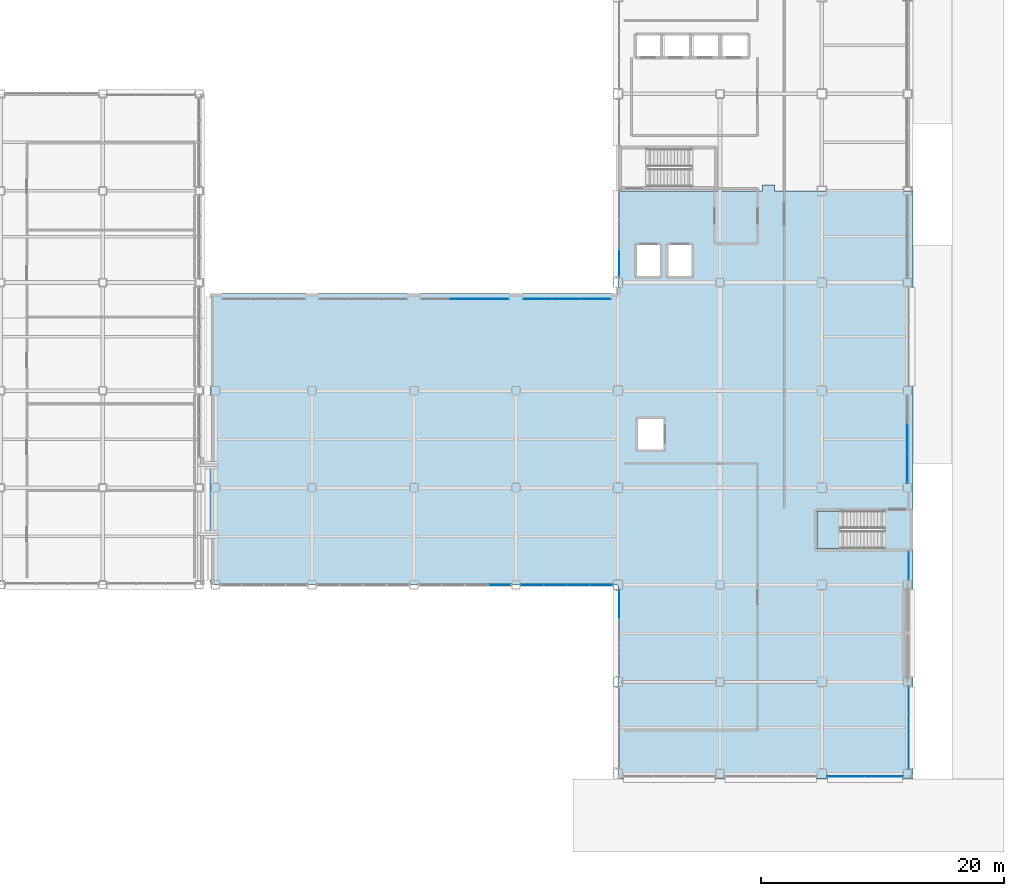
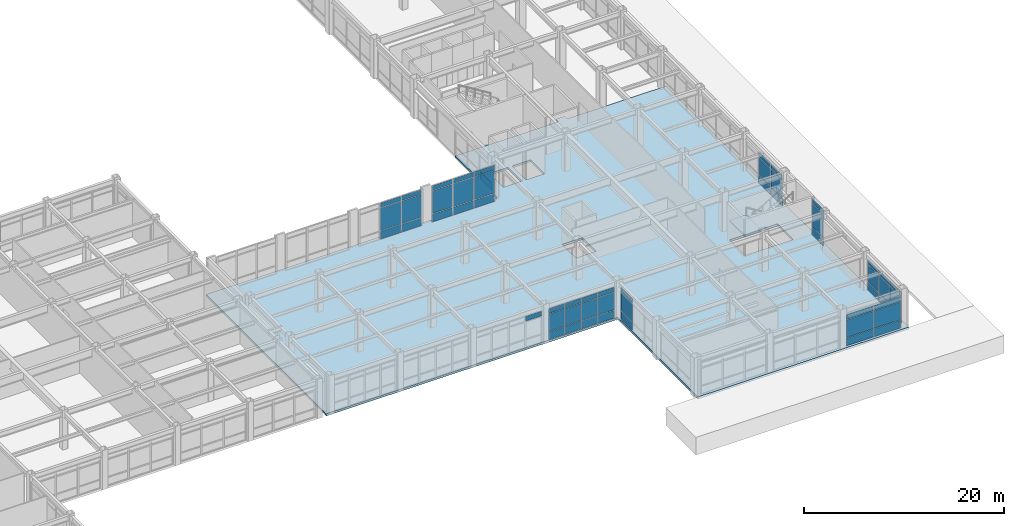
# One storey, part 135 of 172: 56 plates, 2 slabs, 11 elements without a shape of their own.
"""IFC4 building model written with IfcOpenShell, lengths in metres."""

from ifc_helpers import new_model, si_unit, direction, frame, origin, origin_2d, place, context, subcontext, project, spatial, polyline, rectangle, outline, extrude, material, layer, layer_set, type_object, element, aggregate, save


model = new_model("IFC4")

# Units and contexts
model_context = context("Model", 3, precision=1e-05, world=origin(), true_north=direction((0.0, 1.0)))
body_context = subcontext(model_context, "Body", "Model", "MODEL_VIEW")
ifc_project = project(units=[si_unit("LENGTHUNIT", "METRE"), si_unit("AREAUNIT", "SQUARE_METRE"), si_unit("VOLUMEUNIT", "CUBIC_METRE"), si_unit("PLANEANGLEUNIT", "RADIAN"), si_unit("MASSUNIT", "GRAM", prefix="KILO")], contexts=[model_context])

# Site, building, storey
site_placement = place(None, origin())
site = spatial("IfcSite", under=ifc_project, at=site_placement, CompositionType="ELEMENT")
building_placement = place(site_placement, origin())
building = spatial("IfcBuilding", under=site, at=building_placement, Name="Kazehara Bluff Congress Hotel", CompositionType="ELEMENT")
storey_placement = place(building_placement, frame((0.0, 0.0, 5.39990234375)))
storey = spatial("IfcBuildingStorey", under=building, at=storey_placement, Name="L01", CompositionType="ELEMENT", Elevation=5.39990234375)

# Curtain wall, plate
ifc_material_1 = material(Name="Anodised aluminium", Category="aluminium")
ifc_layer_1 = layer(ifc_material_1, 0.159912109375)
ifc_layer_set_1 = layer_set([ifc_layer_1], Name="Anodised aluminium")
curtain_wall_type_1 = type_object("IfcCurtainWallType", Name="TP-CW-79", PredefinedType="NOTDEFINED", material=ifc_layer_set_1)
curtain_wall_1_placement = place(storey_placement, origin())
curtain_wall_1 = element("IfcCurtainWall", 1, at=curtain_wall_1_placement, inside=storey, type_object=curtain_wall_type_1, Name="L01 curtain wall CW-79 CW-V5-L01-Y1600-12725", PredefinedType="NOTDEFINED")
ifc_material_2 = material(Name="Insulated low-E double glazing", Category="glass")
ifc_layer_2 = layer(ifc_material_2, 0.028076171875)
ifc_layer_set_2 = layer_set([ifc_layer_2], Name="Insulated low-E double glazing")
plate_type_1 = type_object("IfcPlateType", Name="TP-CWP-01", PredefinedType="CURTAIN_PANEL", material=ifc_layer_set_2)
plate_1_placement = place(storey_placement, frame((133.97119140625, 16.0, 3.2578125), z_axis=(0.0, 0.0, 1.0), x_axis=(1.0, 0.0, 0.0)))
plate_1 = element("IfcPlate", 2, at=plate_1_placement, type_object=plate_type_1, Name="CW-79 panel 4.3", PredefinedType="CURTAIN_PANEL", context=body_context, shape_type="SweptSolid", body=[
    extrude(rectangle(XDim=1.827392578125, YDim=0.028076171875, at=origin_2d()), origin(), (0.0, 0.0, 1.0), 0.552490234375),
])
aggregate(curtain_wall_1, [plate_1])

# Curtain wall, plates
ifc_material_3 = material(Name="Anodised aluminium", Category="aluminium")
ifc_layer_3 = layer(ifc_material_3, 0.159912109375)
ifc_layer_set_3 = layer_set([ifc_layer_3], Name="Anodised aluminium")
curtain_wall_type_2 = type_object("IfcCurtainWallType", Name="TP-CW-22", PredefinedType="NOTDEFINED", material=ifc_layer_set_3)
curtain_wall_2_placement = place(storey_placement, origin())
curtain_wall_2 = element("IfcCurtainWall", 3, at=curtain_wall_2_placement, inside=storey, type_object=curtain_wall_type_2, Name="L01 curtain wall CW-22 CW-V5-L01-Y1600-13565", PredefinedType="NOTDEFINED")
plate_2_placement = place(storey_placement, frame((136.62255859375, 16.0, 0.06494140625), z_axis=(0.0, 0.0, 1.0), x_axis=(1.0, 0.0, 0.0)))
plate_2 = element("IfcPlate", 4, at=plate_2_placement, type_object=plate_type_1, Name="CW-22 panel 1.1", PredefinedType="CURTAIN_PANEL", context=body_context, shape_type="SweptSolid", body=[
    extrude(rectangle(XDim=1.81494140625, YDim=0.028076171875, at=origin_2d()), origin(), (0.0, 0.0, 1.0), 0.952392578125),
])
plate_3_placement = place(storey_placement, frame((136.62255859375, 16.0, 1.08251953125), z_axis=(0.0, 0.0, 1.0), x_axis=(1.0, 0.0, 0.0)))
plate_3 = element("IfcPlate", 5, at=plate_3_placement, type_object=plate_type_1, Name="CW-22 panel 1.2", PredefinedType="CURTAIN_PANEL", context=body_context, shape_type="SweptSolid", body=[
    extrude(rectangle(XDim=1.81494140625, YDim=0.028076171875, at=origin_2d()), origin(), (0.0, 0.0, 1.0), 2.110107421875),
])
plate_4_placement = place(storey_placement, frame((136.62255859375, 16.0, 3.2578125), z_axis=(0.0, 0.0, 1.0), x_axis=(1.0, 0.0, 0.0)))
plate_4 = element("IfcPlate", 6, at=plate_4_placement, type_object=plate_type_1, Name="CW-22 panel 1.3", PredefinedType="CURTAIN_PANEL", context=body_context, shape_type="SweptSolid", body=[
    extrude(rectangle(XDim=1.81494140625, YDim=0.028076171875, at=origin_2d()), origin(), (0.0, 0.0, 1.0), 0.552490234375),
])
plate_5_placement = place(storey_placement, frame((138.518798828125, 16.0, 0.06494140625), z_axis=(0.0, 0.0, 1.0), x_axis=(1.0, 0.0, 0.0)))
plate_5 = element("IfcPlate", 7, at=plate_5_placement, type_object=plate_type_1, Name="CW-22 panel 2.1", PredefinedType="CURTAIN_PANEL", context=body_context, shape_type="SweptSolid", body=[
    extrude(rectangle(XDim=1.847412109375, YDim=0.028076171875, at=origin_2d()), origin(), (0.0, 0.0, 1.0), 0.952392578125),
])
plate_6_placement = place(storey_placement, frame((138.518798828125, 16.0, 1.08251953125), z_axis=(0.0, 0.0, 1.0), x_axis=(1.0, 0.0, 0.0)))
plate_6 = element("IfcPlate", 8, at=plate_6_placement, type_object=plate_type_1, Name="CW-22 panel 2.2", PredefinedType="CURTAIN_PANEL", context=body_context, shape_type="SweptSolid", body=[
    extrude(rectangle(XDim=1.847412109375, YDim=0.028076171875, at=origin_2d()), origin(), (0.0, 0.0, 1.0), 2.110107421875),
])
plate_7_placement = place(storey_placement, frame((138.518798828125, 16.0, 3.2578125), z_axis=(0.0, 0.0, 1.0), x_axis=(1.0, 0.0, 0.0)))
plate_7 = element("IfcPlate", 9, at=plate_7_placement, type_object=plate_type_1, Name="CW-22 panel 2.3", PredefinedType="CURTAIN_PANEL", context=body_context, shape_type="SweptSolid", body=[
    extrude(rectangle(XDim=1.847412109375, YDim=0.028076171875, at=origin_2d()), origin(), (0.0, 0.0, 1.0), 0.552490234375),
])
plate_8_placement = place(storey_placement, frame((140.43115234375, 16.0, 0.06494140625), z_axis=(0.0, 0.0, 1.0), x_axis=(1.0, 0.0, 0.0)))
plate_8 = element("IfcPlate", 10, at=plate_8_placement, type_object=plate_type_1, Name="CW-22 panel 3.1", PredefinedType="CURTAIN_PANEL", context=body_context, shape_type="SweptSolid", body=[
    extrude(rectangle(XDim=1.847412109375, YDim=0.028076171875, at=origin_2d()), origin(), (0.0, 0.0, 1.0), 0.952392578125),
])
plate_9_placement = place(storey_placement, frame((140.43115234375, 16.0, 1.08251953125), z_axis=(0.0, 0.0, 1.0), x_axis=(1.0, 0.0, 0.0)))
plate_9 = element("IfcPlate", 11, at=plate_9_placement, type_object=plate_type_1, Name="CW-22 panel 3.2", PredefinedType="CURTAIN_PANEL", context=body_context, shape_type="SweptSolid", body=[
    extrude(rectangle(XDim=1.847412109375, YDim=0.028076171875, at=origin_2d()), origin(), (0.0, 0.0, 1.0), 2.110107421875),
])
plate_10_placement = place(storey_placement, frame((140.43115234375, 16.0, 3.2578125), z_axis=(0.0, 0.0, 1.0), x_axis=(1.0, 0.0, 0.0)))
plate_10 = element("IfcPlate", 12, at=plate_10_placement, type_object=plate_type_1, Name="CW-22 panel 3.3", PredefinedType="CURTAIN_PANEL", context=body_context, shape_type="SweptSolid", body=[
    extrude(rectangle(XDim=1.847412109375, YDim=0.028076171875, at=origin_2d()), origin(), (0.0, 0.0, 1.0), 0.552490234375),
])
plate_11_placement = place(storey_placement, frame((142.327392578125, 16.0, 0.06494140625), z_axis=(0.0, 0.0, 1.0), x_axis=(1.0, 0.0, 0.0)))
plate_11 = element("IfcPlate", 13, at=plate_11_placement, type_object=plate_type_1, Name="CW-22 panel 4.1", PredefinedType="CURTAIN_PANEL", context=body_context, shape_type="SweptSolid", body=[
    extrude(rectangle(XDim=1.81494140625, YDim=0.028076171875, at=origin_2d()), origin(), (0.0, 0.0, 1.0), 0.952392578125),
])
plate_12_placement = place(storey_placement, frame((142.327392578125, 16.0, 1.08251953125), z_axis=(0.0, 0.0, 1.0), x_axis=(1.0, 0.0, 0.0)))
plate_12 = element("IfcPlate", 14, at=plate_12_placement, type_object=plate_type_1, Name="CW-22 panel 4.2", PredefinedType="CURTAIN_PANEL", context=body_context, shape_type="SweptSolid", body=[
    extrude(rectangle(XDim=1.81494140625, YDim=0.028076171875, at=origin_2d()), origin(), (0.0, 0.0, 1.0), 2.110107421875),
])
plate_13_placement = place(storey_placement, frame((142.327392578125, 16.0, 3.2578125), z_axis=(0.0, 0.0, 1.0), x_axis=(1.0, 0.0, 0.0)))
plate_13 = element("IfcPlate", 15, at=plate_13_placement, type_object=plate_type_1, Name="CW-22 panel 4.3", PredefinedType="CURTAIN_PANEL", context=body_context, shape_type="SweptSolid", body=[
    extrude(rectangle(XDim=1.81494140625, YDim=0.028076171875, at=origin_2d()), origin(), (0.0, 0.0, 1.0), 0.552490234375),
])
aggregate(curtain_wall_2, [plate_2, plate_3, plate_4, plate_5, plate_6, plate_7, plate_8, plate_9, plate_10, plate_11, plate_12, plate_13])

ifc_material_4 = material(Name="Anodised aluminium", Category="aluminium")
ifc_layer_4 = layer(ifc_material_4, 0.159912109375)
ifc_layer_set_4 = layer_set([ifc_layer_4], Name="Anodised aluminium")
curtain_wall_type_3 = type_object("IfcCurtainWallType", Name="TP-CW-80", PredefinedType="NOTDEFINED", material=ifc_layer_set_4)
curtain_wall_3_placement = place(storey_placement, origin())
curtain_wall_3 = element("IfcCurtainWall", 16, at=curtain_wall_3_placement, inside=storey, type_object=curtain_wall_type_3, Name="L01 curtain wall CW-80 CW-V5-L01-X16755-2435", PredefinedType="NOTDEFINED")
plate_14_placement = place(storey_placement, frame((167.550048828125, 25.5830078125, 0.06494140625), z_axis=(0.0, 0.0, 1.0), x_axis=(0.0, 1.0, 0.0)))
plate_14 = element("IfcPlate", 17, at=plate_14_placement, type_object=plate_type_1, Name="CW-80 panel 1.1", PredefinedType="CURTAIN_PANEL", context=body_context, shape_type="SweptSolid", body=[
    extrude(rectangle(XDim=2.3359375, YDim=0.028076171875, at=origin_2d()), origin(), (0.0, 0.0, 1.0), 0.952392578125),
])
plate_15_placement = place(storey_placement, frame((167.550048828125, 25.5830078125, 1.08251953125), z_axis=(0.0, 0.0, 1.0), x_axis=(0.0, 1.0, 0.0)))
plate_15 = element("IfcPlate", 18, at=plate_15_placement, type_object=plate_type_1, Name="CW-80 panel 1.2", PredefinedType="CURTAIN_PANEL", context=body_context, shape_type="SweptSolid", body=[
    extrude(rectangle(XDim=2.3359375, YDim=0.028076171875, at=origin_2d()), origin(), (0.0, 0.0, 1.0), 2.110107421875),
])
plate_16_placement = place(storey_placement, frame((167.550048828125, 25.5830078125, 3.2578125), z_axis=(0.0, 0.0, 1.0), x_axis=(0.0, 1.0, 0.0)))
plate_16 = element("IfcPlate", 19, at=plate_16_placement, type_object=plate_type_1, Name="CW-80 panel 1.3", PredefinedType="CURTAIN_PANEL", context=body_context, shape_type="SweptSolid", body=[
    extrude(rectangle(XDim=2.3359375, YDim=0.028076171875, at=origin_2d()), origin(), (0.0, 0.0, 1.0), 0.552490234375),
])
plate_17_placement = place(storey_placement, frame((167.550048828125, 28.0, 0.06494140625), z_axis=(0.0, 0.0, 1.0), x_axis=(0.0, 1.0, 0.0)))
plate_17 = element("IfcPlate", 20, at=plate_17_placement, type_object=plate_type_1, Name="CW-80 panel 2.1", PredefinedType="CURTAIN_PANEL", context=body_context, shape_type="SweptSolid", body=[
    extrude(rectangle(XDim=2.368408203125, YDim=0.028076171875, at=origin_2d()), origin(), (0.0, 0.0, 1.0), 0.952392578125),
])
plate_18_placement = place(storey_placement, frame((167.550048828125, 28.0, 1.08251953125), z_axis=(0.0, 0.0, 1.0), x_axis=(0.0, 1.0, 0.0)))
plate_18 = element("IfcPlate", 21, at=plate_18_placement, type_object=plate_type_1, Name="CW-80 panel 2.2", PredefinedType="CURTAIN_PANEL", context=body_context, shape_type="SweptSolid", body=[
    extrude(rectangle(XDim=2.368408203125, YDim=0.028076171875, at=origin_2d()), origin(), (0.0, 0.0, 1.0), 2.110107421875),
])
plate_19_placement = place(storey_placement, frame((167.550048828125, 28.0, 3.2578125), z_axis=(0.0, 0.0, 1.0), x_axis=(0.0, 1.0, 0.0)))
plate_19 = element("IfcPlate", 22, at=plate_19_placement, type_object=plate_type_1, Name="CW-80 panel 2.3", PredefinedType="CURTAIN_PANEL", context=body_context, shape_type="SweptSolid", body=[
    extrude(rectangle(XDim=2.368408203125, YDim=0.028076171875, at=origin_2d()), origin(), (0.0, 0.0, 1.0), 0.552490234375),
])
aggregate(curtain_wall_3, [plate_14, plate_15, plate_16, plate_17, plate_18, plate_19])

ifc_material_5 = material(Name="Anodised aluminium", Category="aluminium")
ifc_layer_5 = layer(ifc_material_5, 0.159912109375)
ifc_layer_set_5 = layer_set([ifc_layer_5], Name="Anodised aluminium")
curtain_wall_type_4 = type_object("IfcCurtainWallType", Name="TP-CW-112", PredefinedType="NOTDEFINED", material=ifc_layer_set_5)
curtain_wall_4_placement = place(storey_placement, origin())
curtain_wall_4 = element("IfcCurtainWall", 23, at=curtain_wall_4_placement, inside=storey, type_object=curtain_wall_type_4, Name="L01 curtain wall CW-112 CW-ENC-V5-L01-16405-22", PredefinedType="NOTDEFINED")
plate_20_placement = place(storey_placement, frame((165.610107421875, 0.219970703125, 0.06005859375), z_axis=(0.0, 0.0, 1.0), x_axis=(-1.0, 0.0, 0.0)))
plate_20 = element("IfcPlate", 24, at=plate_20_placement, type_object=plate_type_1, Name="CW-112 panel 1.1", PredefinedType="CURTAIN_PANEL", context=body_context, shape_type="SweptSolid", body=[
    extrude(rectangle(XDim=3.06005859375, YDim=0.028076171875, at=origin_2d()), origin(), (0.0, 0.0, 1.0), 0.9599609375),
])
plate_21_placement = place(storey_placement, frame((165.610107421875, 0.219970703125, 1.080078125), z_axis=(0.0, 0.0, 1.0), x_axis=(-1.0, 0.0, 0.0)))
plate_21 = element("IfcPlate", 25, at=plate_21_placement, type_object=plate_type_1, Name="CW-112 panel 1.2", PredefinedType="CURTAIN_PANEL", context=body_context, shape_type="SweptSolid", body=[
    extrude(rectangle(XDim=3.06005859375, YDim=0.028076171875, at=origin_2d()), origin(), (0.0, 0.0, 1.0), 2.114990234375),
])
plate_22_placement = place(storey_placement, frame((165.610107421875, 0.219970703125, 3.255126953125), z_axis=(0.0, 0.0, 1.0), x_axis=(-1.0, 0.0, 0.0)))
plate_22 = element("IfcPlate", 26, at=plate_22_placement, type_object=plate_type_1, Name="CW-112 panel 1.3", PredefinedType="CURTAIN_PANEL", context=body_context, shape_type="SweptSolid", body=[
    extrude(rectangle(XDim=3.06005859375, YDim=0.028076171875, at=origin_2d()), origin(), (0.0, 0.0, 1.0), 0.56005859375),
])
plate_23_placement = place(storey_placement, frame((162.489990234375, 0.219970703125, 0.06005859375), z_axis=(0.0, 0.0, 1.0), x_axis=(-1.0, 0.0, 0.0)))
plate_23 = element("IfcPlate", 27, at=plate_23_placement, type_object=plate_type_1, Name="CW-112 panel 2.1", PredefinedType="CURTAIN_PANEL", context=body_context, shape_type="SweptSolid", body=[
    extrude(rectangle(XDim=3.06005859375, YDim=0.028076171875, at=origin_2d()), origin(), (0.0, 0.0, 1.0), 0.9599609375),
])
plate_24_placement = place(storey_placement, frame((162.489990234375, 0.219970703125, 1.080078125), z_axis=(0.0, 0.0, 1.0), x_axis=(-1.0, 0.0, 0.0)))
plate_24 = element("IfcPlate", 28, at=plate_24_placement, type_object=plate_type_1, Name="CW-112 panel 2.2", PredefinedType="CURTAIN_PANEL", context=body_context, shape_type="SweptSolid", body=[
    extrude(rectangle(XDim=3.06005859375, YDim=0.028076171875, at=origin_2d()), origin(), (0.0, 0.0, 1.0), 2.114990234375),
])
plate_25_placement = place(storey_placement, frame((162.489990234375, 0.219970703125, 3.255126953125), z_axis=(0.0, 0.0, 1.0), x_axis=(-1.0, 0.0, 0.0)))
plate_25 = element("IfcPlate", 29, at=plate_25_placement, type_object=plate_type_1, Name="CW-112 panel 2.3", PredefinedType="CURTAIN_PANEL", context=body_context, shape_type="SweptSolid", body=[
    extrude(rectangle(XDim=3.06005859375, YDim=0.028076171875, at=origin_2d()), origin(), (0.0, 0.0, 1.0), 0.56005859375),
])
aggregate(curtain_wall_4, [plate_20, plate_21, plate_22, plate_23, plate_24, plate_25])

ifc_material_6 = material(Name="Anodised aluminium", Category="aluminium")
ifc_layer_6 = layer(ifc_material_6, 0.159912109375)
ifc_layer_set_6 = layer_set([ifc_layer_6], Name="Anodised aluminium")
curtain_wall_type_5 = type_object("IfcCurtainWallType", Name="TP-CW-83", PredefinedType="NOTDEFINED", material=ifc_layer_set_6)
curtain_wall_5_placement = place(storey_placement, origin())
curtain_wall_5 = element("IfcCurtainWall", 30, at=curtain_wall_5_placement, inside=storey, type_object=curtain_wall_type_5, Name="L01 curtain wall CW-83 CW-ENC-V5-L01-16765-423", PredefinedType="NOTDEFINED")
plate_26_placement = place(storey_placement, frame((167.64990234375, 6.4921875, 0.06494140625), z_axis=(0.0, 0.0, 1.0), x_axis=(0.0, -1.0, 0.0)))
plate_26 = element("IfcPlate", 31, at=plate_26_placement, type_object=plate_type_1, Name="CW-83 panel 1.1", PredefinedType="CURTAIN_PANEL", context=body_context, shape_type="SweptSolid", body=[
    extrude(rectangle(XDim=2.185791015625, YDim=0.028076171875, at=origin_2d()), origin(), (0.0, 0.0, 1.0), 0.952392578125),
])
plate_27_placement = place(storey_placement, frame((167.64990234375, 6.4921875, 1.08251953125), z_axis=(0.0, 0.0, 1.0), x_axis=(0.0, -1.0, 0.0)))
plate_27 = element("IfcPlate", 32, at=plate_27_placement, type_object=plate_type_1, Name="CW-83 panel 1.2", PredefinedType="CURTAIN_PANEL", context=body_context, shape_type="SweptSolid", body=[
    extrude(rectangle(XDim=2.185791015625, YDim=0.028076171875, at=origin_2d()), origin(), (0.0, 0.0, 1.0), 2.110107421875),
])
plate_28_placement = place(storey_placement, frame((167.64990234375, 6.4921875, 3.2578125), z_axis=(0.0, 0.0, 1.0), x_axis=(0.0, -1.0, 0.0)))
plate_28 = element("IfcPlate", 33, at=plate_28_placement, type_object=plate_type_1, Name="CW-83 panel 1.3", PredefinedType="CURTAIN_PANEL", context=body_context, shape_type="SweptSolid", body=[
    extrude(rectangle(XDim=2.185791015625, YDim=0.028076171875, at=origin_2d()), origin(), (0.0, 0.0, 1.0), 0.552490234375),
])
plate_29_placement = place(storey_placement, frame((167.64990234375, 4.22509765625, 0.06494140625), z_axis=(0.0, 0.0, 1.0), x_axis=(0.0, -1.0, 0.0)))
plate_29 = element("IfcPlate", 34, at=plate_29_placement, type_object=plate_type_1, Name="CW-83 panel 2.1", PredefinedType="CURTAIN_PANEL", context=body_context, shape_type="SweptSolid", body=[
    extrude(rectangle(XDim=2.21826171875, YDim=0.028076171875, at=origin_2d()), origin(), (0.0, 0.0, 1.0), 0.952392578125),
])
plate_30_placement = place(storey_placement, frame((167.64990234375, 4.22509765625, 1.08251953125), z_axis=(0.0, 0.0, 1.0), x_axis=(0.0, -1.0, 0.0)))
plate_30 = element("IfcPlate", 35, at=plate_30_placement, type_object=plate_type_1, Name="CW-83 panel 2.2", PredefinedType="CURTAIN_PANEL", context=body_context, shape_type="SweptSolid", body=[
    extrude(rectangle(XDim=2.21826171875, YDim=0.028076171875, at=origin_2d()), origin(), (0.0, 0.0, 1.0), 2.110107421875),
])
plate_31_placement = place(storey_placement, frame((167.64990234375, 4.22509765625, 3.2578125), z_axis=(0.0, 0.0, 1.0), x_axis=(0.0, -1.0, 0.0)))
plate_31 = element("IfcPlate", 36, at=plate_31_placement, type_object=plate_type_1, Name="CW-83 panel 2.3", PredefinedType="CURTAIN_PANEL", context=body_context, shape_type="SweptSolid", body=[
    extrude(rectangle(XDim=2.21826171875, YDim=0.028076171875, at=origin_2d()), origin(), (0.0, 0.0, 1.0), 0.552490234375),
])
plate_32_placement = place(storey_placement, frame((167.64990234375, 1.9580078125, 0.06494140625), z_axis=(0.0, 0.0, 1.0), x_axis=(0.0, -1.0, 0.0)))
plate_32 = element("IfcPlate", 37, at=plate_32_placement, type_object=plate_type_1, Name="CW-83 panel 3.1", PredefinedType="CURTAIN_PANEL", context=body_context, shape_type="SweptSolid", body=[
    extrude(rectangle(XDim=2.185791015625, YDim=0.028076171875, at=origin_2d()), origin(), (0.0, 0.0, 1.0), 0.952392578125),
])
plate_33_placement = place(storey_placement, frame((167.64990234375, 1.9580078125, 1.08251953125), z_axis=(0.0, 0.0, 1.0), x_axis=(0.0, -1.0, 0.0)))
plate_33 = element("IfcPlate", 38, at=plate_33_placement, type_object=plate_type_1, Name="CW-83 panel 3.2", PredefinedType="CURTAIN_PANEL", context=body_context, shape_type="SweptSolid", body=[
    extrude(rectangle(XDim=2.185791015625, YDim=0.028076171875, at=origin_2d()), origin(), (0.0, 0.0, 1.0), 2.110107421875),
])
plate_34_placement = place(storey_placement, frame((167.64990234375, 1.9580078125, 3.2578125), z_axis=(0.0, 0.0, 1.0), x_axis=(0.0, -1.0, 0.0)))
plate_34 = element("IfcPlate", 39, at=plate_34_placement, type_object=plate_type_1, Name="CW-83 panel 3.3", PredefinedType="CURTAIN_PANEL", context=body_context, shape_type="SweptSolid", body=[
    extrude(rectangle(XDim=2.185791015625, YDim=0.028076171875, at=origin_2d()), origin(), (0.0, 0.0, 1.0), 0.552490234375),
])
aggregate(curtain_wall_5, [plate_26, plate_27, plate_28, plate_29, plate_30, plate_31, plate_32, plate_33, plate_34])

# Curtain wall, plate
ifc_material_7 = material(Name="Anodised aluminium", Category="aluminium")
ifc_layer_7 = layer(ifc_material_7, 0.159912109375)
ifc_layer_set_7 = layer_set([ifc_layer_7], Name="Anodised aluminium")
curtain_wall_type_6 = type_object("IfcCurtainWallType", Name="TP-CW-118", PredefinedType="NOTDEFINED", material=ifc_layer_set_7)
curtain_wall_6_placement = place(storey_placement, origin())
curtain_wall_6 = element("IfcCurtainWall", 40, at=curtain_wall_6_placement, inside=storey, type_object=curtain_wall_type_6, Name="L01 curtain wall CW-118 CW-ENC-V5-L01-14380-4492", PredefinedType="NOTDEFINED")
plate_35_placement = place(storey_placement, frame((143.800048828125, 42.52294921875, 0.06494140625), z_axis=(0.0, 0.0, 1.0), x_axis=(0.0, 1.0, 0.0)))
plate_35 = element("IfcPlate", 41, at=plate_35_placement, type_object=plate_type_1, Name="CW-118 panel 1.1", PredefinedType="CURTAIN_PANEL", context=body_context, shape_type="SweptSolid", body=[
    extrude(rectangle(XDim=2.31591796875, YDim=0.028076171875, at=origin_2d()), origin(), (0.0, 0.0, 1.0), 0.952392578125),
])
aggregate(curtain_wall_6, [plate_35])

# Curtain wall, plates
ifc_material_8 = material(Name="Anodised aluminium", Category="aluminium")
ifc_layer_8 = layer(ifc_material_8, 0.159912109375)
ifc_layer_set_8 = layer_set([ifc_layer_8], Name="Anodised aluminium")
curtain_wall_type_7 = type_object("IfcCurtainWallType", Name="TP-CW-120", PredefinedType="NOTDEFINED", material=ifc_layer_set_8)
curtain_wall_7_placement = place(storey_placement, origin())
curtain_wall_7 = element("IfcCurtainWall", 42, at=curtain_wall_7_placement, inside=storey, type_object=curtain_wall_type_7, Name="L01 curtain wall CW-120 CW-ENC-V5-L01-14380-1200", PredefinedType="NOTDEFINED")
plate_36_placement = place(storey_placement, frame((143.800048828125, 14.3837890625, 0.06494140625), z_axis=(0.0, 0.0, 1.0), x_axis=(0.0, 1.0, 0.0)))
plate_36 = element("IfcPlate", 43, at=plate_36_placement, type_object=plate_type_1, Name="CW-120 panel 3.1", PredefinedType="CURTAIN_PANEL", context=body_context, shape_type="SweptSolid", body=[
    extrude(rectangle(XDim=2.302490234375, YDim=0.028076171875, at=origin_2d()), origin(), (0.0, 0.0, 1.0), 0.952392578125),
])
plate_37_placement = place(storey_placement, frame((143.800048828125, 14.3837890625, 1.08251953125), z_axis=(0.0, 0.0, 1.0), x_axis=(0.0, 1.0, 0.0)))
plate_37 = element("IfcPlate", 44, at=plate_37_placement, type_object=plate_type_1, Name="CW-120 panel 3.2", PredefinedType="CURTAIN_PANEL", context=body_context, shape_type="SweptSolid", body=[
    extrude(rectangle(XDim=2.302490234375, YDim=0.028076171875, at=origin_2d()), origin(), (0.0, 0.0, 1.0), 2.2099609375),
])
plate_38_placement = place(storey_placement, frame((143.800048828125, 14.3837890625, 3.357421875), z_axis=(0.0, 0.0, 1.0), x_axis=(0.0, 1.0, 0.0)))
plate_38 = element("IfcPlate", 45, at=plate_38_placement, type_object=plate_type_1, Name="CW-120 panel 3.3", PredefinedType="CURTAIN_PANEL", context=body_context, shape_type="SweptSolid", body=[
    extrude(rectangle(XDim=2.302490234375, YDim=0.028076171875, at=origin_2d()), origin(), (0.0, 0.0, 1.0), 0.552490234375),
])
aggregate(curtain_wall_7, [plate_36, plate_37, plate_38])

ifc_material_9 = material(Name="Anodised aluminium", Category="aluminium")
ifc_layer_9 = layer(ifc_material_9, 0.159912109375)
ifc_layer_set_9 = layer_set([ifc_layer_9], Name="Anodised aluminium")
curtain_wall_type_8 = type_object("IfcCurtainWallType", Name="TP-CW-48", PredefinedType="NOTDEFINED", material=ifc_layer_set_9)
curtain_wall_8_placement = place(storey_placement, origin())
curtain_wall_8 = element("IfcCurtainWall", 46, at=curtain_wall_8_placement, inside=storey, type_object=curtain_wall_type_8, Name="L01 curtain wall CW-48 CW-V5-L01-Y3955-12745", PredefinedType="NOTDEFINED")
ifc_material_10 = material(Name="Insulated low-E double glazing", Category="glass")
ifc_layer_10 = layer(ifc_material_10, 0.031982421875)
ifc_layer_set_10 = layer_set([ifc_layer_10], Name="Insulated low-E double glazing")
plate_type_2 = type_object("IfcPlateType", Name="TP-CWP-02", PredefinedType="CURTAIN_PANEL", material=ifc_layer_set_10)
plate_39_placement = place(storey_placement, frame((131.10009765625, 39.550048828125, 0.06494140625), z_axis=(0.0, 0.0, 1.0), x_axis=(1.0, 0.0, 0.0)))
plate_39 = element("IfcPlate", 47, at=plate_39_placement, type_object=plate_type_2, Name="CW-48 panel 2.1", PredefinedType="CURTAIN_PANEL", context=body_context, shape_type="SweptSolid", body=[
    extrude(rectangle(XDim=2.36328125, YDim=0.031982421875, at=origin_2d()), origin(), (0.0, 0.0, 1.0), 0.952392578125),
])
plate_40_placement = place(storey_placement, frame((131.10009765625, 39.550048828125, 1.08251953125), z_axis=(0.0, 0.0, 1.0), x_axis=(1.0, 0.0, 0.0)))
plate_40 = element("IfcPlate", 48, at=plate_40_placement, type_object=plate_type_2, Name="CW-48 panel 2.2", PredefinedType="CURTAIN_PANEL", context=body_context, shape_type="SweptSolid", body=[
    extrude(rectangle(XDim=2.36328125, YDim=0.031982421875, at=origin_2d()), origin(), (0.0, 0.0, 1.0), 2.77001953125),
])
plate_41_placement = place(storey_placement, frame((131.10009765625, 39.550048828125, 3.91748046875), z_axis=(0.0, 0.0, 1.0), x_axis=(1.0, 0.0, 0.0)))
plate_41 = element("IfcPlate", 49, at=plate_41_placement, type_object=plate_type_2, Name="CW-48 panel 2.3", PredefinedType="CURTAIN_PANEL", context=body_context, shape_type="SweptSolid", body=[
    extrude(rectangle(XDim=2.36328125, YDim=0.031982421875, at=origin_2d()), origin(), (0.0, 0.0, 1.0), 0.552490234375),
])
plate_42_placement = place(storey_placement, frame((133.515869140625, 39.550048828125, 0.06494140625), z_axis=(0.0, 0.0, 1.0), x_axis=(1.0, 0.0, 0.0)))
plate_42 = element("IfcPlate", 50, at=plate_42_placement, type_object=plate_type_2, Name="CW-48 panel 3.1", PredefinedType="CURTAIN_PANEL", context=body_context, shape_type="SweptSolid", body=[
    extrude(rectangle(XDim=2.328369140625, YDim=0.031982421875, at=origin_2d()), origin(), (0.0, 0.0, 1.0), 0.952392578125),
])
plate_43_placement = place(storey_placement, frame((133.515869140625, 39.550048828125, 1.08251953125), z_axis=(0.0, 0.0, 1.0), x_axis=(1.0, 0.0, 0.0)))
plate_43 = element("IfcPlate", 51, at=plate_43_placement, type_object=plate_type_2, Name="CW-48 panel 3.2", PredefinedType="CURTAIN_PANEL", context=body_context, shape_type="SweptSolid", body=[
    extrude(rectangle(XDim=2.328369140625, YDim=0.031982421875, at=origin_2d()), origin(), (0.0, 0.0, 1.0), 2.77001953125),
])
plate_44_placement = place(storey_placement, frame((133.515869140625, 39.550048828125, 3.91748046875), z_axis=(0.0, 0.0, 1.0), x_axis=(1.0, 0.0, 0.0)))
plate_44 = element("IfcPlate", 52, at=plate_44_placement, type_object=plate_type_2, Name="CW-48 panel 3.3", PredefinedType="CURTAIN_PANEL", context=body_context, shape_type="SweptSolid", body=[
    extrude(rectangle(XDim=2.328369140625, YDim=0.031982421875, at=origin_2d()), origin(), (0.0, 0.0, 1.0), 0.552490234375),
])
aggregate(curtain_wall_8, [plate_39, plate_40, plate_41, plate_42, plate_43, plate_44])

curtain_wall_9_placement = place(storey_placement, origin())
curtain_wall_9 = element("IfcCurtainWall", 53, at=curtain_wall_9_placement, inside=storey, type_object=curtain_wall_type_8, Name="L01 curtain wall CW-48 CW-V5-L01-Y3955-13585", PredefinedType="NOTDEFINED")
plate_45_placement = place(storey_placement, frame((137.084228515625, 39.550048828125, 0.06494140625), z_axis=(0.0, 0.0, 1.0), x_axis=(1.0, 0.0, 0.0)))
plate_45 = element("IfcPlate", 54, at=plate_45_placement, type_object=plate_type_2, Name="CW-48 panel 1.1", PredefinedType="CURTAIN_PANEL", context=body_context, shape_type="SweptSolid", body=[
    extrude(rectangle(XDim=2.328369140625, YDim=0.031982421875, at=origin_2d()), origin(), (0.0, 0.0, 1.0), 0.952392578125),
])
plate_46_placement = place(storey_placement, frame((137.084228515625, 39.550048828125, 1.08251953125), z_axis=(0.0, 0.0, 1.0), x_axis=(1.0, 0.0, 0.0)))
plate_46 = element("IfcPlate", 55, at=plate_46_placement, type_object=plate_type_2, Name="CW-48 panel 1.2", PredefinedType="CURTAIN_PANEL", context=body_context, shape_type="SweptSolid", body=[
    extrude(rectangle(XDim=2.328369140625, YDim=0.031982421875, at=origin_2d()), origin(), (0.0, 0.0, 1.0), 2.77001953125),
])
plate_47_placement = place(storey_placement, frame((137.084228515625, 39.550048828125, 3.91748046875), z_axis=(0.0, 0.0, 1.0), x_axis=(1.0, 0.0, 0.0)))
plate_47 = element("IfcPlate", 56, at=plate_47_placement, type_object=plate_type_2, Name="CW-48 panel 1.3", PredefinedType="CURTAIN_PANEL", context=body_context, shape_type="SweptSolid", body=[
    extrude(rectangle(XDim=2.328369140625, YDim=0.031982421875, at=origin_2d()), origin(), (0.0, 0.0, 1.0), 0.552490234375),
])
plate_48_placement = place(storey_placement, frame((139.5, 39.550048828125, 0.06494140625), z_axis=(0.0, 0.0, 1.0), x_axis=(1.0, 0.0, 0.0)))
plate_48 = element("IfcPlate", 57, at=plate_48_placement, type_object=plate_type_2, Name="CW-48 panel 2.1", PredefinedType="CURTAIN_PANEL", context=body_context, shape_type="SweptSolid", body=[
    extrude(rectangle(XDim=2.36328125, YDim=0.031982421875, at=origin_2d()), origin(), (0.0, 0.0, 1.0), 0.952392578125),
])
plate_49_placement = place(storey_placement, frame((139.5, 39.550048828125, 1.08251953125), z_axis=(0.0, 0.0, 1.0), x_axis=(1.0, 0.0, 0.0)))
plate_49 = element("IfcPlate", 58, at=plate_49_placement, type_object=plate_type_2, Name="CW-48 panel 2.2", PredefinedType="CURTAIN_PANEL", context=body_context, shape_type="SweptSolid", body=[
    extrude(rectangle(XDim=2.36328125, YDim=0.031982421875, at=origin_2d()), origin(), (0.0, 0.0, 1.0), 2.77001953125),
])
plate_50_placement = place(storey_placement, frame((139.5, 39.550048828125, 3.91748046875), z_axis=(0.0, 0.0, 1.0), x_axis=(1.0, 0.0, 0.0)))
plate_50 = element("IfcPlate", 59, at=plate_50_placement, type_object=plate_type_2, Name="CW-48 panel 2.3", PredefinedType="CURTAIN_PANEL", context=body_context, shape_type="SweptSolid", body=[
    extrude(rectangle(XDim=2.36328125, YDim=0.031982421875, at=origin_2d()), origin(), (0.0, 0.0, 1.0), 0.552490234375),
])
plate_51_placement = place(storey_placement, frame((141.915771484375, 39.550048828125, 0.06494140625), z_axis=(0.0, 0.0, 1.0), x_axis=(1.0, 0.0, 0.0)))
plate_51 = element("IfcPlate", 60, at=plate_51_placement, type_object=plate_type_2, Name="CW-48 panel 3.1", PredefinedType="CURTAIN_PANEL", context=body_context, shape_type="SweptSolid", body=[
    extrude(rectangle(XDim=2.328369140625, YDim=0.031982421875, at=origin_2d()), origin(), (0.0, 0.0, 1.0), 0.952392578125),
])
plate_52_placement = place(storey_placement, frame((141.915771484375, 39.550048828125, 1.08251953125), z_axis=(0.0, 0.0, 1.0), x_axis=(1.0, 0.0, 0.0)))
plate_52 = element("IfcPlate", 61, at=plate_52_placement, type_object=plate_type_2, Name="CW-48 panel 3.2", PredefinedType="CURTAIN_PANEL", context=body_context, shape_type="SweptSolid", body=[
    extrude(rectangle(XDim=2.328369140625, YDim=0.031982421875, at=origin_2d()), origin(), (0.0, 0.0, 1.0), 2.77001953125),
])
plate_53_placement = place(storey_placement, frame((141.915771484375, 39.550048828125, 3.91748046875), z_axis=(0.0, 0.0, 1.0), x_axis=(1.0, 0.0, 0.0)))
plate_53 = element("IfcPlate", 62, at=plate_53_placement, type_object=plate_type_2, Name="CW-48 panel 3.3", PredefinedType="CURTAIN_PANEL", context=body_context, shape_type="SweptSolid", body=[
    extrude(rectangle(XDim=2.328369140625, YDim=0.031982421875, at=origin_2d()), origin(), (0.0, 0.0, 1.0), 0.552490234375),
])
aggregate(curtain_wall_9, [plate_45, plate_46, plate_47, plate_48, plate_49, plate_50, plate_51, plate_52, plate_53])

ifc_material_11 = material(Name="Anodised aluminium", Category="aluminium")
ifc_layer_11 = layer(ifc_material_11, 0.159912109375)
ifc_layer_set_11 = layer_set([ifc_layer_11], Name="Anodised aluminium")
curtain_wall_type_9 = type_object("IfcCurtainWallType", Name="TP-CW-113", PredefinedType="NOTDEFINED", material=ifc_layer_set_11)
curtain_wall_10_placement = place(storey_placement, origin())
curtain_wall_10 = element("IfcCurtainWall", 63, at=curtain_wall_10_placement, inside=storey, type_object=curtain_wall_type_9, Name="L01 curtain wall CW-113 CW-ENC-V5-L01-16765-1755", PredefinedType="NOTDEFINED")
plate_54_placement = place(storey_placement, frame((167.64990234375, 17.544921875, 0.06005859375), z_axis=(0.0, 0.0, 1.0), x_axis=(0.0, -1.0, 0.0)))
plate_54 = element("IfcPlate", 64, at=plate_54_placement, type_object=plate_type_2, Name="CW-113 panel 1.1", PredefinedType="CURTAIN_PANEL", context=body_context, shape_type="SweptSolid", body=[
    extrude(rectangle(XDim=2.25, YDim=0.031982421875, at=origin_2d()), origin(), (0.0, 0.0, 1.0), 0.9599609375),
])
plate_55_placement = place(storey_placement, frame((167.64990234375, 17.544921875, 1.080078125), z_axis=(0.0, 0.0, 1.0), x_axis=(0.0, -1.0, 0.0)))
plate_55 = element("IfcPlate", 65, at=plate_55_placement, type_object=plate_type_2, Name="CW-113 panel 1.2", PredefinedType="CURTAIN_PANEL", context=body_context, shape_type="SweptSolid", body=[
    extrude(rectangle(XDim=2.25, YDim=0.031982421875, at=origin_2d()), origin(), (0.0, 0.0, 1.0), 2.77490234375),
])
plate_56_placement = place(storey_placement, frame((167.64990234375, 17.544921875, 3.9150390625), z_axis=(0.0, 0.0, 1.0), x_axis=(0.0, -1.0, 0.0)))
plate_56 = element("IfcPlate", 66, at=plate_56_placement, type_object=plate_type_2, Name="CW-113 panel 1.3", PredefinedType="CURTAIN_PANEL", context=body_context, shape_type="SweptSolid", body=[
    extrude(rectangle(XDim=2.25, YDim=0.031982421875, at=origin_2d()), origin(), (0.0, 0.0, 1.0), 0.56005859375),
])
aggregate(curtain_wall_10, [plate_54, plate_55, plate_56])

# Slab
ifc_material_12 = material(Name="Concrete C36/45", Category="concrete")
ifc_layer_12 = layer(ifc_material_12, 0.25)
ifc_layer_set_12 = layer_set([ifc_layer_12], Name="Concrete C36/45")
slab_type_1 = type_object("IfcSlabType", Name="TP-SL-250", PredefinedType="FLOOR", material=ifc_layer_set_12)
slab_1_placement = place(storey_placement, frame((0.0, 0.0, -0.25)))
element("IfcSlab", 67, at=slab_1_placement, inside=storey, type_object=slab_type_1, Name="L01 V5 composite floor slab S", PredefinedType="FLOOR", context=body_context, shape_type="SweptSolid", body=[
    extrude(outline(polyline([(143.699951171875, 0.0), (143.699951171875, 16.0), (110.10009765625, 16.0), (110.10009765625, 40.0), (143.699951171875, 40.0), (143.699951171875, 48.449951171875), (155.60009765625, 48.449951171875), (155.60009765625, 48.949951171875), (156.60009765625, 48.949951171875), (156.60009765625, 48.449951171875), (168.0, 48.449951171875), (168.0, 0.0), (143.699951171875, 0.0)]), holes=[polyline([(165.625, 22.10009765625), (160.10009765625, 22.10009765625), (160.10009765625, 19.0), (165.625, 19.0), (165.625, 22.10009765625)]), polyline([(145.14990234375, 41.324951171875), (147.25, 41.324951171875), (147.25, 44.074951171875), (145.14990234375, 44.074951171875), (145.14990234375, 41.324951171875)]), polyline([(147.75, 41.324951171875), (149.85009765625, 41.324951171875), (149.85009765625, 44.074951171875), (147.75, 44.074951171875), (147.75, 41.324951171875)]), polyline([(145.25, 27.050048828125), (147.550048828125, 27.050048828125), (147.550048828125, 29.75), (145.25, 29.75), (145.25, 27.050048828125)])]), origin(), (0.0, 0.0, 1.0), 0.25),
])

# Stair, slab
ifc_material_13 = material(Name="Concrete C36/45", Category="concrete")
stair_type = type_object("IfcStairType", Name="TP-ST-T04", PredefinedType="HALF_TURN_STAIR", material=ifc_material_13)
stair_placement = place(storey_placement, origin())
stair = element("IfcStair", 68, at=stair_placement, inside=storey, type_object=stair_type, Name="L01 Escape stair ST-10", PredefinedType="HALF_TURN_STAIR")
ifc_material_14 = material(Name="Concrete C36/45", Category="concrete")
ifc_layer_13 = layer(ifc_material_14, 0.199951171875)
ifc_layer_set_13 = layer_set([ifc_layer_13], Name="Concrete C36/45")
slab_type_2 = type_object("IfcSlabType", Name="TP-SLD-200", PredefinedType="LANDING", material=ifc_layer_set_13)
slab_2_placement = place(storey_placement, frame((0.0, 0.0, 2.2001953125)))
slab_2 = element("IfcSlab", 69, at=slab_2_placement, type_object=slab_type_2, Name="ST-10 landing 1", PredefinedType="LANDING", context=body_context, shape_type="SweptSolid", body=[
    extrude(outline(polyline([(162.010009765625, 22.10009765625), (160.10009765625, 22.10009765625), (160.10009765625, 19.0), (162.010009765625, 19.0), (162.010009765625, 22.10009765625)])), origin(), (0.0, 0.0, 1.0), 0.199951171875),
])
aggregate(stair, [slab_2])

save(model, "model.ifc")
